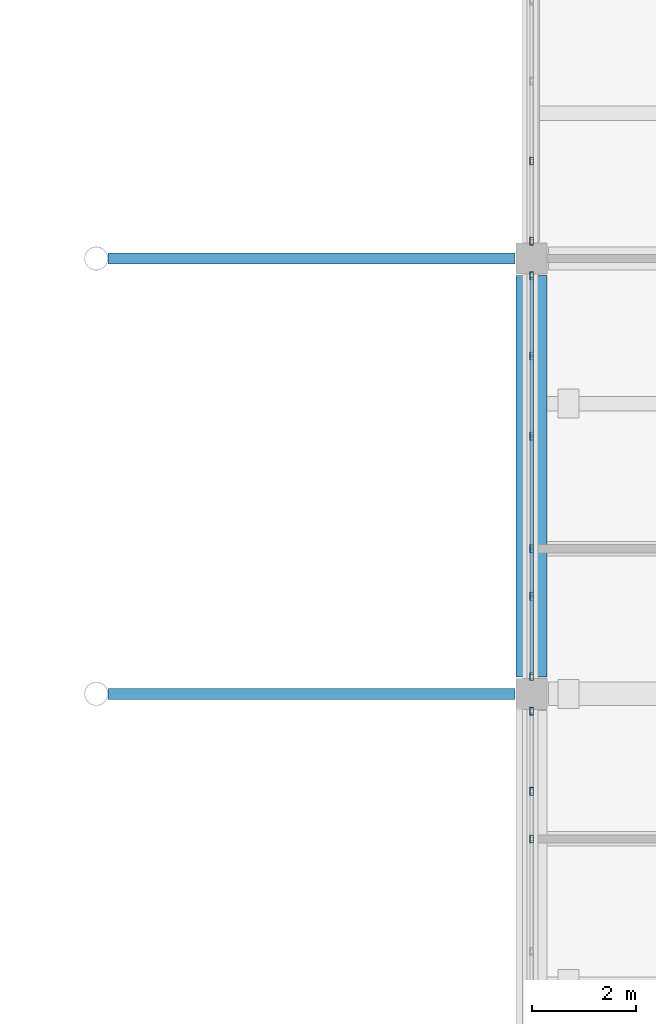
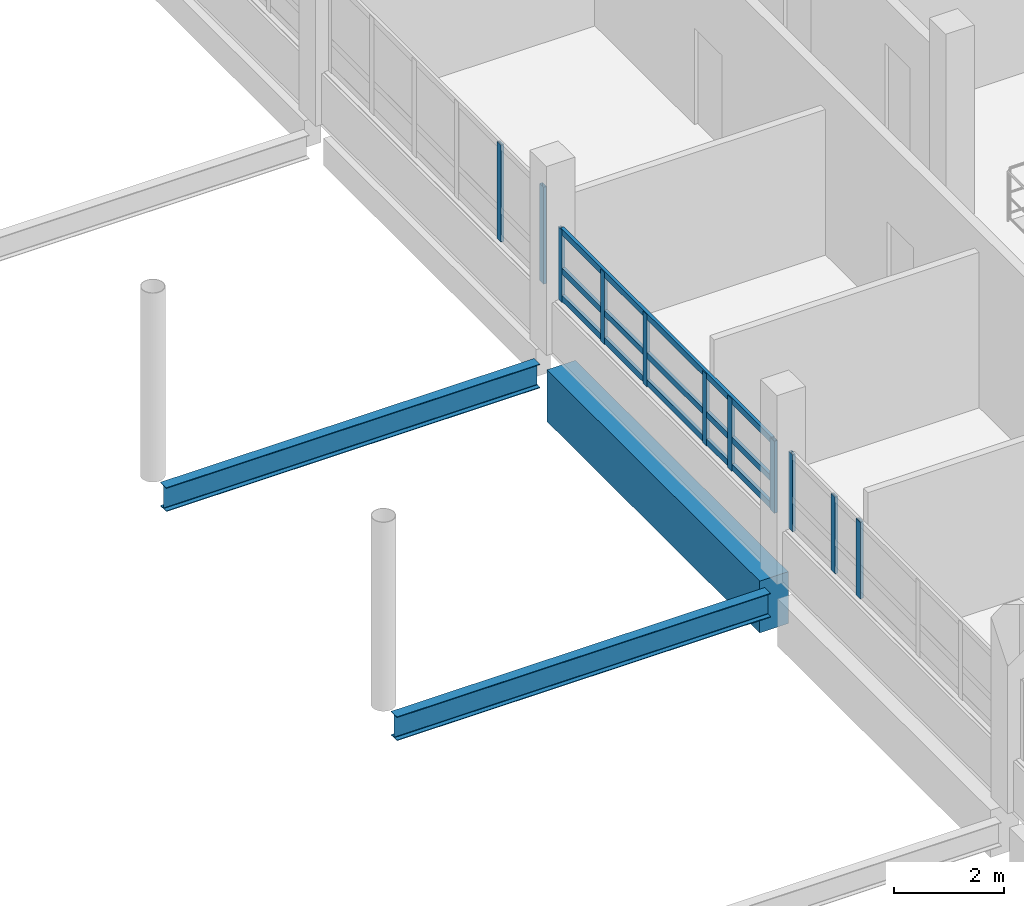
# One storey, part 42 of 130: 14 members, 3 beams, 3 elements without a shape of their own.
"""IFC4 building model written with IfcOpenShell, lengths in metres."""

import ifcopenshell
import ifcopenshell.guid

model = None  # the IFC model being written
_history = None  # IfcOwnerHistory: only IFC2X3 demands one
_inside = {}  # id of a spatial element -> (the spatial element, [elements in it])
_under = {}  # id of a project, library or spatial element -> (it, [spatial elements below it])
_declared = {}  # id of a project -> (the project, [libraries it declares])
_typed = {}  # id of a type object -> (the type object, [elements of that type])
_made_of = {}  # id of a material, layer set ... -> (it, [elements and type objects made of it])


def new_model(schema):
    """Start an empty IFC model of exactly this schema.

    Asked for "IFC4X3", IfcOpenShell would pick the latest addendum, in which some entities
    have other attributes; the version numbers below select the first issue.
    IFC2X3 requires an IfcOwnerHistory on every rooted entity: one is made here for all.
    """
    global model, _history
    if schema == "IFC4X3":
        model = ifcopenshell.file(schema_version=(4, 3, 0, 0))
    else:
        model = ifcopenshell.file(schema=schema)
    _inside.clear()
    _under.clear()
    _declared.clear()
    _typed.clear()
    _made_of.clear()
    _history = None
    if model.schema == "IFC2X3":
        org = make("IfcOrganization", Name="unknown")
        user = make(
            "IfcPersonAndOrganization",
            ThePerson=make("IfcPerson", FamilyName="unknown"),
            TheOrganization=org,
        )
        app = make(
            "IfcApplication",
            ApplicationDeveloper=org,
            Version="unknown",
            ApplicationFullName="unknown",
            ApplicationIdentifier="unknown",
        )
        _history = make(
            "IfcOwnerHistory",
            OwningUser=user,
            OwningApplication=app,
            ChangeAction="ADDED",
            CreationDate=0,
        )
    return model


def make(cls, **values):
    """One entity of the class cls with the attributes given. An attribute that is None is left unset."""
    return model.create_entity(
        cls, **{name: value for name, value in values.items() if value is not None}
    )


def rooted(cls, **values):
    """An entity with a GlobalId (a new one), such as an element, a storey or a relation."""
    return make(cls, GlobalId=ifcopenshell.guid.new(), OwnerHistory=_history, **values)


def si_unit(unit_type, name, prefix=None):
    """IfcSIUnit, for example si_unit("LENGTHUNIT", "METRE", prefix="MILLI")."""
    return make("IfcSIUnit", UnitType=unit_type, Prefix=prefix, Name=name)


def assignment(units):
    """IfcUnitAssignment: the units of a project."""
    return None if units is None else make("IfcUnitAssignment", Units=units)


def point(xyz):
    """IfcCartesianPoint."""
    return None if xyz is None else make("IfcCartesianPoint", Coordinates=xyz)


def direction(xyz):
    """IfcDirection."""
    return None if xyz is None else make("IfcDirection", DirectionRatios=xyz)


def frame(location, z_axis=None, x_axis=None):
    """IfcAxis2Placement3D, a coordinate frame: its origin and axes. An axis left out is left unset."""
    return make(
        "IfcAxis2Placement3D",
        Location=point(location),
        Axis=direction(z_axis),
        RefDirection=direction(x_axis),
    )


def frame_2d(location, x_axis=None):
    """IfcAxis2Placement2D, a coordinate frame in the plane: its origin and x axis."""
    return make(
        "IfcAxis2Placement2D", Location=point(location), RefDirection=direction(x_axis)
    )


def origin():
    """The frame at (0, 0, 0) with its axes left unset."""
    return frame((0.0, 0.0, 0.0))


def origin_2d():
    """The frame at (0, 0) in the plane with its x axis left unset."""
    return frame_2d((0.0, 0.0))


def place(relative_to, where):
    """IfcLocalPlacement: puts the frame where relative to a parent placement (None: the world)."""
    return make(
        "IfcLocalPlacement", PlacementRelTo=relative_to, RelativePlacement=where
    )


def context(
    kind, dimensions, precision=None, world=None, true_north=None, identifier=None
):
    """IfcGeometricRepresentationContext, for example the 3D "Model" context."""
    return make(
        "IfcGeometricRepresentationContext",
        ContextIdentifier=identifier,
        ContextType=kind,
        CoordinateSpaceDimension=dimensions,
        Precision=precision,
        WorldCoordinateSystem=world,
        TrueNorth=true_north,
    )


def subcontext(parent, identifier, kind, view, scale=None):
    """IfcGeometricRepresentationSubContext, for example "Body" below "Model"."""
    return make(
        "IfcGeometricRepresentationSubContext",
        ContextIdentifier=identifier,
        ContextType=kind,
        ParentContext=parent,
        TargetScale=scale,
        TargetView=view,
    )


def project(units=None, contexts=None):
    """IfcProject with its units and contexts."""
    return rooted(
        "IfcProject",
        Name="project",
        RepresentationContexts=contexts,
        UnitsInContext=assignment(units),
    )


def spatial(cls, under=None, at=None, **own):
    """A site, building, storey or space (cls), placed at a placement, below another one or the project."""
    s = rooted(cls, ObjectPlacement=at, **own)
    if under is not None:
        _under.setdefault(under.id(), (under, []))[1].append(s)
    return s


def profile(cls, at=None, kind="AREA", **sizes):
    """A parametric profile (cls). Its sizes go by their IFC names, for example OverallWidth=200.0."""
    return make(cls, ProfileType=kind, Position=at, **sizes)


def rectangle(**sizes):
    """IfcRectangleProfileDef."""
    return profile("IfcRectangleProfileDef", **sizes)


def hollow_rectangle(**sizes):
    """IfcRectangleHollowProfileDef."""
    return profile("IfcRectangleHollowProfileDef", **sizes)


def i_section(**sizes):
    """IfcIShapeProfileDef."""
    return profile("IfcIShapeProfileDef", **sizes)


def extrude(swept, where, along, depth):
    """IfcExtrudedAreaSolid: the profile swept, set in the frame where, extruded along a direction by depth."""
    return make(
        "IfcExtrudedAreaSolid",
        SweptArea=swept,
        Position=where,
        ExtrudedDirection=direction(along),
        Depth=depth,
    )


def shape(context_of_items, identifier, shape_type, items):
    """IfcShapeRepresentation: the items that make up one representation, for example the "Body"."""
    return make(
        "IfcShapeRepresentation",
        ContextOfItems=context_of_items,
        RepresentationIdentifier=identifier,
        RepresentationType=shape_type,
        Items=items,
    )


def material(Name=None, Category=None):
    """IfcMaterial."""
    return make("IfcMaterial", Name=Name, Category=Category)


def layer(
    of_material, thickness, ventilated=None, Name=None, Category=None, Priority=None
):
    """IfcMaterialLayer: one layer of a wall or slab, of a material (None: an air gap)."""
    return make(
        "IfcMaterialLayer",
        Material=of_material,
        LayerThickness=thickness,
        IsVentilated=ventilated,
        Name=Name,
        Category=Category,
        Priority=Priority,
    )


def layer_set(layers, Name=None):
    """IfcMaterialLayerSet."""
    return make("IfcMaterialLayerSet", MaterialLayers=layers, LayerSetName=Name)


def material_profile(
    of_material, cross_section, Name=None, Category=None, Priority=None
):
    """IfcMaterialProfile: a cross section and its material."""
    return make(
        "IfcMaterialProfile",
        Name=Name,
        Material=of_material,
        Profile=cross_section,
        Priority=Priority,
        Category=Category,
    )


def profile_set(profiles, Name=None, composite=None):
    """IfcMaterialProfileSet."""
    return make(
        "IfcMaterialProfileSet",
        Name=Name,
        MaterialProfiles=profiles,
        CompositeProfile=composite,
    )


def made_of(thing, what):
    """Note that an element or type object is made of a material, layer set ...; save() writes the relation."""
    if what is not None:
        _made_of.setdefault(what.id(), (what, []))[1].append(thing)
    return thing


def type_object(cls, material=None, **own):
    """A type object (cls), such as IfcWallType, which elements share."""
    return made_of(rooted(cls, **own), material)


def element(
    cls,
    number,
    at=None,
    inside=None,
    cuts=None,
    type_object=None,
    material=None,
    context=None,
    identifier="Body",
    shape_type=None,
    held_by="IfcProductDefinitionShape",
    body=None,
    shapes=None,
    **own,
):
    """One element of the class cls, such as IfcWall. Its Tag is "e" and its number.

    at: its placement. inside: the storey or other place that contains it. cuts: it is an
    opening in that element (IfcRelVoidsElement). A single representation is given by context,
    identifier, shape_type and body (its items); several are given by shapes. held_by: the class
    of the entity that holds the representations. save() writes the other relations.
    """
    e = rooted(cls, Tag="e%d" % number, ObjectPlacement=at, **own)
    if body is not None:
        shapes = [shape(context, identifier, shape_type, body)]
    if shapes is not None:
        e.Representation = make(held_by, Representations=shapes)
    if inside is not None:
        _inside.setdefault(inside.id(), (inside, []))[1].append(e)
    if cuts is not None:
        rooted(
            "IfcRelVoidsElement", RelatingBuildingElement=cuts, RelatedOpeningElement=e
        )
    if type_object is not None:
        _typed.setdefault(type_object.id(), (type_object, []))[1].append(e)
    return made_of(e, material)


def aggregate(whole, parts):
    """IfcRelAggregates: a whole, such as a stair, and the parts it consists of."""
    return rooted("IfcRelAggregates", RelatingObject=whole, RelatedObjects=parts)


def save(model, path):
    """Write the relations noted so far, then the file.

    IfcRelAggregates (storeys below a building ...), IfcRelContainedInSpatialStructure (elements
    in a storey), IfcRelDefinesByType, IfcRelAssociatesMaterial and IfcRelDeclares: one each for
    every whole, place, type object, material and project.
    """
    for whole, parts in _under.values():
        aggregate(whole, parts)
    for where, things in _inside.values():
        rooted(
            "IfcRelContainedInSpatialStructure",
            RelatedElements=things,
            RelatingStructure=where,
        )
    for kind, things in _typed.values():
        rooted("IfcRelDefinesByType", RelatedObjects=things, RelatingType=kind)
    for what, things in _made_of.values():
        rooted("IfcRelAssociatesMaterial", RelatedObjects=things, RelatingMaterial=what)
    for by, libraries in _declared.values():
        rooted("IfcRelDeclares", RelatingContext=by, RelatedDefinitions=libraries)
    model.write(path)


model = new_model("IFC4")

# Units and contexts
model_context = context("Model", 3, precision=1e-05, world=origin(), true_north=direction((0.0, 1.0)))
body_context = subcontext(model_context, "Body", "Model", "MODEL_VIEW")
ifc_project = project(units=[si_unit("LENGTHUNIT", "METRE"), si_unit("AREAUNIT", "SQUARE_METRE"), si_unit("VOLUMEUNIT", "CUBIC_METRE"), si_unit("PLANEANGLEUNIT", "RADIAN"), si_unit("MASSUNIT", "GRAM", prefix="KILO")], contexts=[model_context])

# Site, building, storey
site_placement = place(None, origin())
site = spatial("IfcSite", under=ifc_project, at=site_placement, CompositionType="ELEMENT")
building_placement = place(site_placement, origin())
building = spatial("IfcBuilding", under=site, at=building_placement, Name="Vireocrest Preparatory School", CompositionType="ELEMENT")
storey_placement = place(building_placement, frame((0.0, 0.0, 9.0)))
storey = spatial("IfcBuildingStorey", under=building, at=storey_placement, Name="L02", CompositionType="ELEMENT", Elevation=9.0)

# Curtain wall, members
ifc_material_1 = material(Name="Thermally broken aluminium EN AW-6063-T6", Category="aluminium")
ifc_layer = layer(ifc_material_1, 0.179931640625)
ifc_layer_set = layer_set([ifc_layer], Name="Thermally broken aluminium EN AW-6063-T6")
curtain_wall_type = type_object("IfcCurtainWallType", Name="Court Banded Curtain Wall 8400x3000", PredefinedType="USERDEFINED", material=ifc_layer_set)
curtain_wall_1_placement = place(storey_placement, origin())
curtain_wall_1 = element("IfcCurtainWall", 1, at=curtain_wall_1_placement, inside=storey, type_object=curtain_wall_type, Name="Curtain Wall CW02 CW_L02_CW02_0924_0525_102", ObjectType="CURTAIN WALL", PredefinedType="USERDEFINED")
ifc_material_profile_1 = material_profile(ifc_material_1, hollow_rectangle(XDim=0.06494140625, YDim=0.14990234375, WallThickness=0.00390625, at=origin_2d()), Name="ALU 65x150x4")
ifc_profile_set_1 = profile_set([ifc_material_profile_1], Name="Thermally broken aluminium EN AW-6063-T6")
member_type_1 = type_object("IfcMemberType", Name="CW Mullion 65x150x4", PredefinedType="MULLION", material=ifc_profile_set_1)
member_1_placement = place(storey_placement, frame((92.39990234375, 57.800048828125, 1.14990234375), z_axis=(0.0, 0.0, 1.0), x_axis=(1.0, 0.0, 0.0)))
member_1 = element("IfcMember", 2, at=member_1_placement, type_object=member_type_1, Name="CW Mullion ML1 CW_L02_CW02_0924_0525_102-4", PredefinedType="MULLION", context=body_context, shape_type="SweptSolid", body=[
    extrude(hollow_rectangle(XDim=0.06494140625, YDim=0.14990234375, WallThickness=0.00390625, at=origin_2d()), origin(), (0.0, 0.0, 1.0), 1.705078125),
])
member_2_placement = place(storey_placement, frame((92.39990234375, 58.718994140625, 1.14990234375), z_axis=(0.0, 0.0, 1.0), x_axis=(1.0, 0.0, 0.0)))
member_2 = element("IfcMember", 3, at=member_2_placement, type_object=member_type_1, Name="CW Mullion ML1 CW_L02_CW02_0924_0525_102-5", PredefinedType="MULLION", context=body_context, shape_type="SweptSolid", body=[
    extrude(hollow_rectangle(XDim=0.06494140625, YDim=0.14990234375, WallThickness=0.00390625, at=origin_2d()), origin(), (0.0, 0.0, 1.0), 1.705078125),
])
member_3_placement = place(storey_placement, frame((92.39990234375, 60.264892578125, 1.14990234375), z_axis=(0.0, 0.0, 1.0), x_axis=(1.0, 0.0, 0.0)))
member_3 = element("IfcMember", 4, at=member_3_placement, type_object=member_type_1, Name="CW Mullion ML1 CW_L02_CW02_0924_0525_102-6", PredefinedType="MULLION", context=body_context, shape_type="SweptSolid", body=[
    extrude(hollow_rectangle(XDim=0.06494140625, YDim=0.14990234375, WallThickness=0.00390625, at=origin_2d()), origin(), (0.0, 0.0, 1.0), 1.705078125),
])
aggregate(curtain_wall_1, [member_1, member_2, member_3])

curtain_wall_2_placement = place(storey_placement, origin())
curtain_wall_2 = element("IfcCurtainWall", 5, at=curtain_wall_2_placement, inside=storey, type_object=curtain_wall_type, Name="Curtain Wall CW02 CW_L02_CW02_0924_0609_102", ObjectType="CURTAIN WALL", PredefinedType="USERDEFINED")
member_4_placement = place(storey_placement, frame((92.39990234375, 60.93505859375, 1.14990234375), z_axis=(0.0, 0.0, 1.0), x_axis=(1.0, 0.0, 0.0)))
member_4 = element("IfcMember", 6, at=member_4_placement, type_object=member_type_1, Name="CW Mullion ML1 CW_L02_CW02_0924_0609_102-1", PredefinedType="MULLION", context=body_context, shape_type="SweptSolid", body=[
    extrude(hollow_rectangle(XDim=0.06494140625, YDim=0.14990234375, WallThickness=0.00390625, at=origin_2d()), origin(), (0.0, 0.0, 1.0), 1.60498046875),
])
member_5_placement = place(storey_placement, frame((92.39990234375, 62.48095703125, 1.14990234375), z_axis=(0.0, 0.0, 1.0), x_axis=(1.0, 0.0, 0.0)))
member_5 = element("IfcMember", 7, at=member_5_placement, type_object=member_type_1, Name="CW Mullion ML1 CW_L02_CW02_0924_0609_102-2", PredefinedType="MULLION", context=body_context, shape_type="SweptSolid", body=[
    extrude(hollow_rectangle(XDim=0.06494140625, YDim=0.14990234375, WallThickness=0.00390625, at=origin_2d()), origin(), (0.0, 0.0, 1.0), 1.60498046875),
])
member_6_placement = place(storey_placement, frame((92.39990234375, 63.39990234375, 1.14990234375), z_axis=(0.0, 0.0, 1.0), x_axis=(1.0, 0.0, 0.0)))
member_6 = element("IfcMember", 8, at=member_6_placement, type_object=member_type_1, Name="CW Mullion ML1 CW_L02_CW02_0924_0609_102-3", PredefinedType="MULLION", context=body_context, shape_type="SweptSolid", body=[
    extrude(hollow_rectangle(XDim=0.06494140625, YDim=0.14990234375, WallThickness=0.00390625, at=origin_2d()), origin(), (0.0, 0.0, 1.0), 1.60498046875),
])
member_7_placement = place(storey_placement, frame((92.39990234375, 65.572998046875, 1.14990234375), z_axis=(0.0, 0.0, 1.0), x_axis=(1.0, 0.0, 0.0)))
member_7 = element("IfcMember", 9, at=member_7_placement, type_object=member_type_1, Name="CW Mullion ML1 CW_L02_CW02_0924_0609_102-4", PredefinedType="MULLION", context=body_context, shape_type="SweptSolid", body=[
    extrude(hollow_rectangle(XDim=0.06494140625, YDim=0.14990234375, WallThickness=0.00390625, at=origin_2d()), origin(), (0.0, 0.0, 1.0), 1.60498046875),
])
member_8_placement = place(storey_placement, frame((92.39990234375, 67.118896484375, 1.14990234375), z_axis=(0.0, 0.0, 1.0), x_axis=(1.0, 0.0, 0.0)))
member_8 = element("IfcMember", 10, at=member_8_placement, type_object=member_type_1, Name="CW Mullion ML1 CW_L02_CW02_0924_0609_102-5", PredefinedType="MULLION", context=body_context, shape_type="SweptSolid", body=[
    extrude(hollow_rectangle(XDim=0.06494140625, YDim=0.14990234375, WallThickness=0.00390625, at=origin_2d()), origin(), (0.0, 0.0, 1.0), 1.60498046875),
])
member_9_placement = place(storey_placement, frame((92.39990234375, 68.6650390625, 1.14990234375), z_axis=(0.0, 0.0, 1.0), x_axis=(1.0, 0.0, 0.0)))
member_9 = element("IfcMember", 11, at=member_9_placement, type_object=member_type_1, Name="CW Mullion ML1 CW_L02_CW02_0924_0609_102-6", PredefinedType="MULLION", context=body_context, shape_type="SweptSolid", body=[
    extrude(hollow_rectangle(XDim=0.06494140625, YDim=0.14990234375, WallThickness=0.00390625, at=origin_2d()), origin(), (0.0, 0.0, 1.0), 1.60498046875),
])

curtain_wall_3_placement = place(storey_placement, origin())
curtain_wall_3 = element("IfcCurtainWall", 12, at=curtain_wall_3_placement, inside=storey, type_object=curtain_wall_type, Name="Curtain Wall CW02 CW_L02_CW02_0924_0693_102", ObjectType="CURTAIN WALL", PredefinedType="USERDEFINED")
member_10_placement = place(storey_placement, frame((92.39990234375, 69.3349609375, 1.14990234375), z_axis=(0.0, 0.0, 1.0), x_axis=(1.0, 0.0, 0.0)))
member_10 = element("IfcMember", 13, at=member_10_placement, type_object=member_type_1, Name="CW Mullion ML1 CW_L02_CW02_0924_0693_102-1", PredefinedType="MULLION", context=body_context, shape_type="SweptSolid", body=[
    extrude(hollow_rectangle(XDim=0.06494140625, YDim=0.14990234375, WallThickness=0.00390625, at=origin_2d()), origin(), (0.0, 0.0, 1.0), 2.155029296875),
])
member_11_placement = place(storey_placement, frame((92.39990234375, 70.881103515625, 1.14990234375), z_axis=(0.0, 0.0, 1.0), x_axis=(1.0, 0.0, 0.0)))
member_11 = element("IfcMember", 14, at=member_11_placement, type_object=member_type_1, Name="CW Mullion ML1 CW_L02_CW02_0924_0693_102-2", PredefinedType="MULLION", context=body_context, shape_type="SweptSolid", body=[
    extrude(hollow_rectangle(XDim=0.06494140625, YDim=0.14990234375, WallThickness=0.00390625, at=origin_2d()), origin(), (0.0, 0.0, 1.0), 2.155029296875),
])
aggregate(curtain_wall_3, [member_10, member_11])

# Member
ifc_material_profile_2 = material_profile(ifc_material_1, hollow_rectangle(XDim=0.06494140625, YDim=0.139892578125, WallThickness=0.00390625, at=origin_2d()), Name="ALU 65x140x4")
ifc_profile_set_2 = profile_set([ifc_material_profile_2], Name="Thermally broken aluminium EN AW-6063-T6")
member_type_2 = type_object("IfcMemberType", Name="CW Transom 65x140x4", PredefinedType="USERDEFINED", material=ifc_profile_set_2)
member_12_placement = place(storey_placement, frame((92.39990234375, 60.9599609375, 1.2451171875), z_axis=(0.0, 1.0, 0.0), x_axis=(-1.0, 0.0, 0.0)))
member_12 = element("IfcMember", 15, at=member_12_placement, type_object=member_type_2, Name="CW Transom TR1 CW_L02_CW02_0924_0609_102-1", ObjectType="TRANSOM", PredefinedType="USERDEFINED", context=body_context, shape_type="SweptSolid", body=[
    extrude(hollow_rectangle(XDim=0.06494140625, YDim=0.139892578125, WallThickness=0.00390625, at=origin_2d()), origin(), (0.0, 0.0, 1.0), 7.679931640625),
])

member_13_placement = place(storey_placement, frame((92.39990234375, 60.9599609375, 1.85009765625), z_axis=(0.0, 1.0, 0.0), x_axis=(-1.0, 0.0, 0.0)))
member_13 = element("IfcMember", 16, at=member_13_placement, type_object=member_type_2, Name="CW Transom TR1 CW_L02_CW02_0924_0609_102-2", ObjectType="TRANSOM", PredefinedType="USERDEFINED", context=body_context, shape_type="SweptSolid", body=[
    extrude(hollow_rectangle(XDim=0.06494140625, YDim=0.139892578125, WallThickness=0.00390625, at=origin_2d()), origin(), (0.0, 0.0, 1.0), 7.679931640625),
])

member_14_placement = place(storey_placement, frame((92.39990234375, 60.9599609375, 2.715087890625), z_axis=(0.0, 1.0, 0.0), x_axis=(-1.0, 0.0, 0.0)))
member_14 = element("IfcMember", 17, at=member_14_placement, type_object=member_type_2, Name="CW Transom TR1 CW_L02_CW02_0924_0609_102-3", ObjectType="TRANSOM", PredefinedType="USERDEFINED", context=body_context, shape_type="SweptSolid", body=[
    extrude(hollow_rectangle(XDim=0.06494140625, YDim=0.139892578125, WallThickness=0.00390625, at=origin_2d()), origin(), (0.0, 0.0, 1.0), 7.679931640625),
])

aggregate(curtain_wall_2, [member_4, member_5, member_6, member_7, member_8, member_9, member_12, member_13, member_14])

# Beams
ifc_material_2 = material(Name="Structural steel ASTM A992 Grade 50", Category="steel")
ifc_material_profile_3 = material_profile(ifc_material_2, i_section(OverallWidth=0.208984375, OverallDepth=0.532958984375, WebThickness=0.01025390625, FlangeThickness=0.015625, FilletRadius=0.014892578125, at=origin_2d()), Name="W21X62")
ifc_profile_set_3 = profile_set([ifc_material_profile_3], Name="Structural steel ASTM A992 Grade 50")
beam_type_1 = type_object("IfcBeamType", Name="Court Tie Girder W21X62", PredefinedType="BEAM", material=ifc_profile_set_3)
for number, where, z_axis, x_axis, name in (
    (18, (84.2236328125, 60.60009765625, -0.56640625), (1.0, 0.0, 0.0), (0.0, 1.0, 0.0), "Court Trunk Lateral Tie Girder SB5 E5 L02"),
    (19, (84.2236328125, 69.0, -0.56640625), (1.0, 0.0, 0.0), (0.0, 1.0, 0.0), "Court Trunk Lateral Tie Girder SB5 E6 L02"),
):
    element("IfcBeam", number, at=place(storey_placement, frame(where, z_axis=z_axis, x_axis=x_axis)), inside=storey, type_object=beam_type_1, Name=name, PredefinedType="BEAM", context=body_context, shape_type="SweptSolid", body=[
        extrude(i_section(OverallWidth=0.208984375, OverallDepth=0.532958984375, WebThickness=0.01025390625, FlangeThickness=0.015625, FilletRadius=0.014892578125, at=origin_2d()), origin(), (0.0, 0.0, 1.0), 7.8564453125),
    ])
ifc_material_3 = material(Name="Concrete 40 MPa", Category="concrete")
ifc_material_profile_4 = material_profile(ifc_material_3, rectangle(XDim=0.60009765625, YDim=1.14990234375, at=origin_2d()), Name="RC 600x1150")
ifc_profile_set_4 = profile_set([ifc_material_profile_4], Name="Concrete 40 MPa")
beam_type_2 = type_object("IfcBeamType", Name="RC Heavy Transfer Girder 600x1150", PredefinedType="BEAM", material=ifc_profile_set_4)
beam_placement = place(storey_placement, frame((92.39990234375, 60.925048828125, -0.875), z_axis=(0.0, 1.0, 0.0), x_axis=(-1.0, 0.0, 0.0)))
element("IfcBeam", 20, at=beam_placement, inside=storey, type_object=beam_type_2, Name="Primary Girder B20 L02-0841", PredefinedType="BEAM", context=body_context, shape_type="SweptSolid", body=[
    extrude(rectangle(XDim=0.60009765625, YDim=1.14990234375, at=origin_2d()), origin(), (0.0, 0.0, 1.0), 7.75),
])

save(model, "model.ifc")
